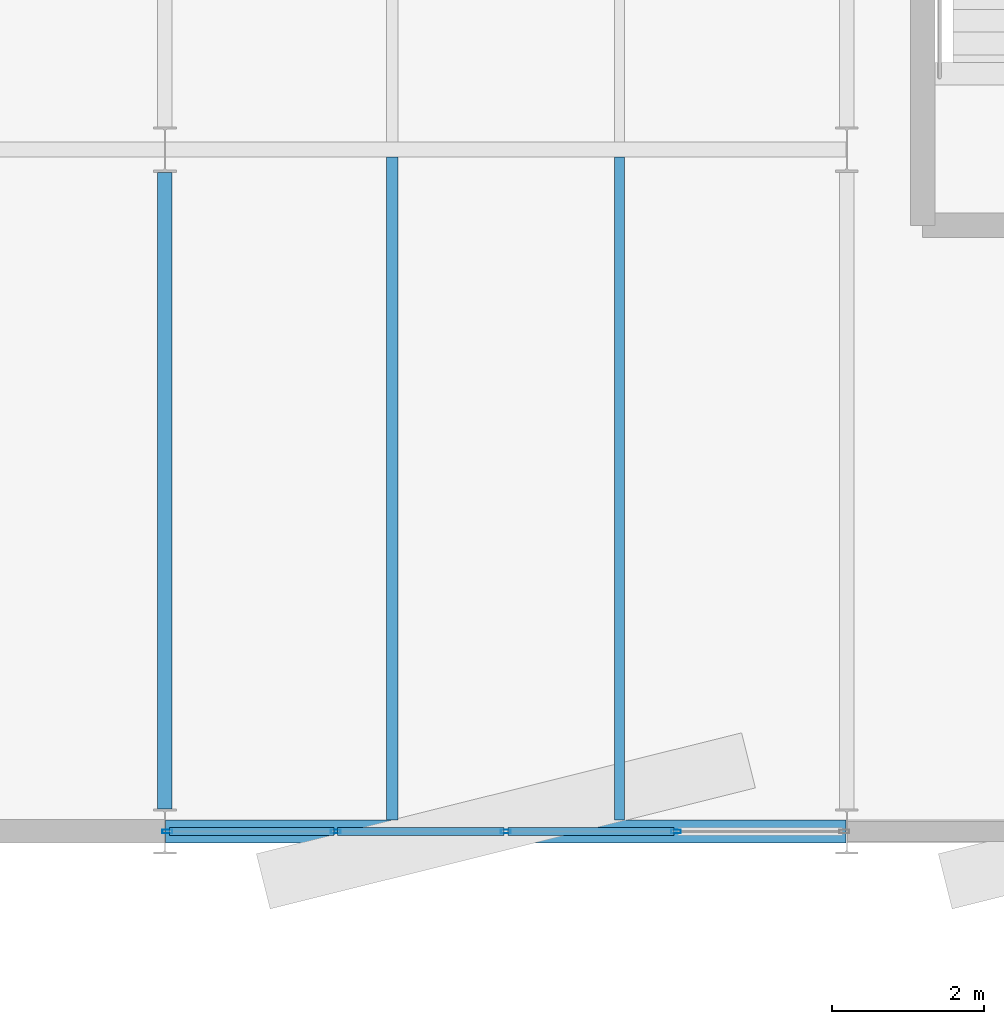
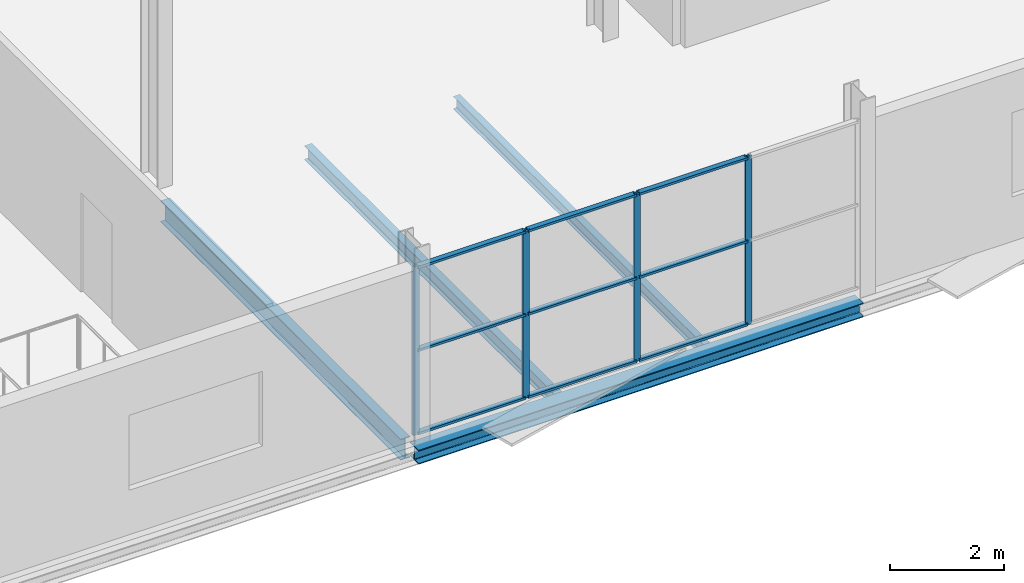
# One storey, part 79 of 135: 13 members, 4 beams, 1 element without a shape of its own.
"""IFC4 building model written with IfcOpenShell, lengths in metres."""

from ifc_helpers import new_model, si_unit, direction, frame, origin, origin_2d, place, context, subcontext, project, spatial, hollow_rectangle, i_section, extrude, material, layer, layer_set, material_profile, profile_set, type_object, element, aggregate, save


model = new_model("IFC4")

# Units and contexts
model_context = context("Model", 3, precision=1e-05, world=origin(), true_north=direction((0.0, 1.0)))
body_context = subcontext(model_context, "Body", "Model", "MODEL_VIEW")
ifc_project = project(units=[si_unit("LENGTHUNIT", "METRE"), si_unit("AREAUNIT", "SQUARE_METRE"), si_unit("VOLUMEUNIT", "CUBIC_METRE"), si_unit("PLANEANGLEUNIT", "RADIAN"), si_unit("MASSUNIT", "GRAM", prefix="KILO")], contexts=[model_context])

# Site, building, storey
site_placement = place(None, origin())
site = spatial("IfcSite", under=ifc_project, at=site_placement, CompositionType="ELEMENT")
building_placement = place(site_placement, origin())
building = spatial("IfcBuilding", under=site, at=building_placement, Name="Deido Ridge Mobility Hub", CompositionType="ELEMENT")
storey_placement = place(building_placement, frame((0.0, 0.0, 4.199951171875)))
storey = spatial("IfcBuildingStorey", under=building, at=storey_placement, Name="L01", CompositionType="ELEMENT", Elevation=4.199951171875)

# Beams
ifc_material_1 = material(Name="Steel S355J2 EN 10025-2", Category="steel")
ifc_material_profile_1 = material_profile(ifc_material_1, i_section(OverallWidth=0.18994140625, OverallDepth=0.449951171875, WebThickness=0.009521484375, FlangeThickness=0.0146484375, FilletRadius=0.02099609375, at=origin_2d()), Name="IPE 450")
ifc_profile_set_1 = profile_set([ifc_material_profile_1], Name="Steel S355J2 EN 10025-2")
beam_type_1 = type_object("IfcBeamType", Name="BM-IPE450", PredefinedType="BEAM", material=ifc_profile_set_1)
beam_1_placement = place(storey_placement, frame((153.0, 0.300048828125, -0.474853515625), z_axis=(0.0, 1.0, 0.0), x_axis=(-1.0, 0.0, 0.0)))
element("IfcBeam", 1, at=beam_1_placement, inside=storey, type_object=beam_type_1, Name="Floor beam B4", PredefinedType="BEAM", context=body_context, shape_type="SweptSolid", body=[
    extrude(i_section(OverallWidth=0.18994140625, OverallDepth=0.449951171875, WebThickness=0.009521484375, FlangeThickness=0.0146484375, FilletRadius=0.02099609375, at=origin_2d()), origin(), (0.0, 0.0, 1.0), 8.39990234375),
])
ifc_material_profile_2 = material_profile(ifc_material_1, i_section(OverallWidth=0.135009765625, OverallDepth=0.27001953125, WebThickness=0.006591796875, FlangeThickness=0.01025390625, FilletRadius=0.014892578125, at=origin_2d()), Name="IPE 270")
ifc_profile_set_2 = profile_set([ifc_material_profile_2], Name="Steel S355J2 EN 10025-2")
beam_type_2 = type_object("IfcBeamType", Name="JST-IPE270", PredefinedType="JOIST", material=ifc_profile_set_2)
beam_2_placement = place(storey_placement, frame((159.0, 0.14990234375, -0.385009765625), z_axis=(0.0, 1.0, 0.0), x_axis=(-1.0, 0.0, 0.0)))
element("IfcBeam", 2, at=beam_2_placement, inside=storey, type_object=beam_type_2, Name="Composite joist J4", PredefinedType="JOIST", context=body_context, shape_type="SweptSolid", body=[
    extrude(i_section(OverallWidth=0.135009765625, OverallDepth=0.27001953125, WebThickness=0.006591796875, FlangeThickness=0.01025390625, FilletRadius=0.014892578125, at=origin_2d()), origin(), (0.0, 0.0, 1.0), 8.75),
])
ifc_material_profile_3 = material_profile(ifc_material_1, i_section(OverallWidth=0.14990234375, OverallDepth=0.300048828125, WebThickness=0.007080078125, FlangeThickness=0.0107421875, FilletRadius=0.014892578125, at=origin_2d()), Name="IPE 300")
ifc_profile_set_3 = profile_set([ifc_material_profile_3], Name="Steel S355J2 EN 10025-2")
beam_type_3 = type_object("IfcBeamType", Name="JST-IPE300", PredefinedType="JOIST", material=ifc_profile_set_3)
beam_3_placement = place(storey_placement, frame((156.0, 0.14990234375, -0.39990234375), z_axis=(0.0, 1.0, 0.0), x_axis=(-1.0, 0.0, 0.0)))
element("IfcBeam", 3, at=beam_3_placement, inside=storey, type_object=beam_type_3, Name="Composite joist J3", PredefinedType="JOIST", context=body_context, shape_type="SweptSolid", body=[
    extrude(i_section(OverallWidth=0.14990234375, OverallDepth=0.300048828125, WebThickness=0.007080078125, FlangeThickness=0.0107421875, FilletRadius=0.014892578125, at=origin_2d()), origin(), (0.0, 0.0, 1.0), 8.75),
])

# Curtain wall, members
ifc_material_2 = material(Name="Anodised aluminium EN AW-6063 T6", Category="aluminium")
ifc_layer = layer(ifc_material_2, 0.1650390625, Name="Anodised aluminium EN AW-6063 T6")
ifc_layer_set = layer_set([ifc_layer], Name="Anodised aluminium EN AW-6063 T6")
curtain_wall_type = type_object("IfcCurtainWallType", Name="CW-UF-1", PredefinedType="USERDEFINED", material=ifc_layer_set)
curtain_wall_placement = place(storey_placement, origin())
curtain_wall = element("IfcCurtainWall", 4, at=curtain_wall_placement, inside=storey, type_object=curtain_wall_type, Name="Unitised curtain wall CW1", ObjectType="UNITISED FACADE", PredefinedType="USERDEFINED")
ifc_material_profile_4 = material_profile(ifc_material_2, hollow_rectangle(XDim=0.050048828125, YDim=0.1298828125, WallThickness=0.00390625, at=origin_2d()), Name="RHS 50x130x4")
ifc_profile_set_4 = profile_set([ifc_material_profile_4], Name="Anodised aluminium EN AW-6063 T6")
member_type_1 = type_object("IfcMemberType", Name="MEM-MUL-50X130", PredefinedType="MULLION", material=ifc_profile_set_4)
member_1_placement = place(storey_placement, frame((153.03271484375, 0.0, 0.0), z_axis=(0.0, 0.0, 1.0), x_axis=(0.0, 1.0, 0.0)))
member_1 = element("IfcMember", 5, at=member_1_placement, type_object=member_type_1, Name="CW1 mullion 1", PredefinedType="MULLION", context=body_context, shape_type="SweptSolid", body=[
    extrude(hollow_rectangle(XDim=0.050048828125, YDim=0.1298828125, WallThickness=0.00390625, at=origin_2d()), origin(), (0.0, 0.0, 1.0), 3.60009765625),
])
member_2_placement = place(storey_placement, frame((155.25390625, 0.0, 0.0), z_axis=(0.0, 0.0, 1.0), x_axis=(0.0, 1.0, 0.0)))
member_2 = element("IfcMember", 6, at=member_2_placement, type_object=member_type_1, Name="CW1 mullion 2", PredefinedType="MULLION", context=body_context, shape_type="SweptSolid", body=[
    extrude(hollow_rectangle(XDim=0.050048828125, YDim=0.1298828125, WallThickness=0.00390625, at=origin_2d()), origin(), (0.0, 0.0, 1.0), 3.60009765625),
])
member_3_placement = place(storey_placement, frame((157.5, 0.0, 0.0), z_axis=(0.0, 0.0, 1.0), x_axis=(0.0, 1.0, 0.0)))
member_3 = element("IfcMember", 7, at=member_3_placement, type_object=member_type_1, Name="CW1 mullion 3", PredefinedType="MULLION", context=body_context, shape_type="SweptSolid", body=[
    extrude(hollow_rectangle(XDim=0.050048828125, YDim=0.1298828125, WallThickness=0.00390625, at=origin_2d()), origin(), (0.0, 0.0, 1.0), 3.60009765625),
])
member_4_placement = place(storey_placement, frame((159.74609375, 0.0, 0.0), z_axis=(0.0, 0.0, 1.0), x_axis=(0.0, 1.0, 0.0)))
member_4 = element("IfcMember", 8, at=member_4_placement, type_object=member_type_1, Name="CW1 mullion 4", PredefinedType="MULLION", context=body_context, shape_type="SweptSolid", body=[
    extrude(hollow_rectangle(XDim=0.050048828125, YDim=0.1298828125, WallThickness=0.00390625, at=origin_2d()), origin(), (0.0, 0.0, 1.0), 3.60009765625),
])
ifc_material_profile_5 = material_profile(ifc_material_2, hollow_rectangle(XDim=0.10498046875, YDim=0.050048828125, WallThickness=0.00390625, at=origin_2d()), Name="RHS 105x50x4")
ifc_profile_set_5 = profile_set([ifc_material_profile_5], Name="Anodised aluminium EN AW-6063 T6")
member_type_2 = type_object("IfcMemberType", Name="MEM-TRN-105X50", PredefinedType="USERDEFINED", material=ifc_profile_set_5)
member_5_placement = place(storey_placement, frame((153.0576171875, 0.0, 0.025146484375), z_axis=(1.0, 0.0, 0.0), x_axis=(0.0, 1.0, 0.0)))
member_5 = element("IfcMember", 9, at=member_5_placement, type_object=member_type_2, Name="CW1 transom 1.1", ObjectType="TRANSOM", PredefinedType="USERDEFINED", context=body_context, shape_type="SweptSolid", body=[
    extrude(hollow_rectangle(XDim=0.10498046875, YDim=0.050048828125, WallThickness=0.00390625, at=origin_2d()), origin(), (0.0, 0.0, 1.0), 2.171142578125),
])
member_6_placement = place(storey_placement, frame((153.0576171875, 0.0, 1.800048828125), z_axis=(1.0, 0.0, 0.0), x_axis=(0.0, 1.0, 0.0)))
member_6 = element("IfcMember", 10, at=member_6_placement, type_object=member_type_2, Name="CW1 transom 1.2", ObjectType="TRANSOM", PredefinedType="USERDEFINED", context=body_context, shape_type="SweptSolid", body=[
    extrude(hollow_rectangle(XDim=0.10498046875, YDim=0.050048828125, WallThickness=0.00390625, at=origin_2d()), origin(), (0.0, 0.0, 1.0), 2.171142578125),
])
member_7_placement = place(storey_placement, frame((153.0576171875, 0.0, 3.574951171875), z_axis=(1.0, 0.0, 0.0), x_axis=(0.0, 1.0, 0.0)))
member_7 = element("IfcMember", 11, at=member_7_placement, type_object=member_type_2, Name="CW1 transom 1.3", ObjectType="TRANSOM", PredefinedType="USERDEFINED", context=body_context, shape_type="SweptSolid", body=[
    extrude(hollow_rectangle(XDim=0.10498046875, YDim=0.050048828125, WallThickness=0.00390625, at=origin_2d()), origin(), (0.0, 0.0, 1.0), 2.171142578125),
])
member_8_placement = place(storey_placement, frame((155.27880859375, 0.0, 0.025146484375), z_axis=(1.0, 0.0, 0.0), x_axis=(0.0, 1.0, 0.0)))
member_8 = element("IfcMember", 12, at=member_8_placement, type_object=member_type_2, Name="CW1 transom 2.1", ObjectType="TRANSOM", PredefinedType="USERDEFINED", context=body_context, shape_type="SweptSolid", body=[
    extrude(hollow_rectangle(XDim=0.10498046875, YDim=0.050048828125, WallThickness=0.00390625, at=origin_2d()), origin(), (0.0, 0.0, 1.0), 2.1962890625),
])
member_9_placement = place(storey_placement, frame((155.27880859375, 0.0, 1.800048828125), z_axis=(1.0, 0.0, 0.0), x_axis=(0.0, 1.0, 0.0)))
member_9 = element("IfcMember", 13, at=member_9_placement, type_object=member_type_2, Name="CW1 transom 2.2", ObjectType="TRANSOM", PredefinedType="USERDEFINED", context=body_context, shape_type="SweptSolid", body=[
    extrude(hollow_rectangle(XDim=0.10498046875, YDim=0.050048828125, WallThickness=0.00390625, at=origin_2d()), origin(), (0.0, 0.0, 1.0), 2.1962890625),
])
member_10_placement = place(storey_placement, frame((155.27880859375, 0.0, 3.574951171875), z_axis=(1.0, 0.0, 0.0), x_axis=(0.0, 1.0, 0.0)))
member_10 = element("IfcMember", 14, at=member_10_placement, type_object=member_type_2, Name="CW1 transom 2.3", ObjectType="TRANSOM", PredefinedType="USERDEFINED", context=body_context, shape_type="SweptSolid", body=[
    extrude(hollow_rectangle(XDim=0.10498046875, YDim=0.050048828125, WallThickness=0.00390625, at=origin_2d()), origin(), (0.0, 0.0, 1.0), 2.1962890625),
])
member_11_placement = place(storey_placement, frame((157.52490234375, 0.0, 0.025146484375), z_axis=(1.0, 0.0, 0.0), x_axis=(0.0, 1.0, 0.0)))
member_11 = element("IfcMember", 15, at=member_11_placement, type_object=member_type_2, Name="CW1 transom 3.1", ObjectType="TRANSOM", PredefinedType="USERDEFINED", context=body_context, shape_type="SweptSolid", body=[
    extrude(hollow_rectangle(XDim=0.10498046875, YDim=0.050048828125, WallThickness=0.00390625, at=origin_2d()), origin(), (0.0, 0.0, 1.0), 2.1962890625),
])
member_12_placement = place(storey_placement, frame((157.52490234375, 0.0, 1.800048828125), z_axis=(1.0, 0.0, 0.0), x_axis=(0.0, 1.0, 0.0)))
member_12 = element("IfcMember", 16, at=member_12_placement, type_object=member_type_2, Name="CW1 transom 3.2", ObjectType="TRANSOM", PredefinedType="USERDEFINED", context=body_context, shape_type="SweptSolid", body=[
    extrude(hollow_rectangle(XDim=0.10498046875, YDim=0.050048828125, WallThickness=0.00390625, at=origin_2d()), origin(), (0.0, 0.0, 1.0), 2.1962890625),
])
member_13_placement = place(storey_placement, frame((157.52490234375, 0.0, 3.574951171875), z_axis=(1.0, 0.0, 0.0), x_axis=(0.0, 1.0, 0.0)))
member_13 = element("IfcMember", 17, at=member_13_placement, type_object=member_type_2, Name="CW1 transom 3.3", ObjectType="TRANSOM", PredefinedType="USERDEFINED", context=body_context, shape_type="SweptSolid", body=[
    extrude(hollow_rectangle(XDim=0.10498046875, YDim=0.050048828125, WallThickness=0.00390625, at=origin_2d()), origin(), (0.0, 0.0, 1.0), 2.1962890625),
])
aggregate(curtain_wall, [member_1, member_2, member_3, member_4, member_5, member_6, member_7, member_8, member_9, member_10, member_11, member_12, member_13])

# Beam
ifc_material_profile_6 = material_profile(ifc_material_1, i_section(OverallWidth=0.300048828125, OverallDepth=0.300048828125, WebThickness=0.010986328125, FlangeThickness=0.01904296875, FilletRadius=0.027099609375, at=origin_2d()), Name="HEB 300")
ifc_profile_set_6 = profile_set([ifc_material_profile_6], Name="Steel S355J2 EN 10025-2")
beam_type_4 = type_object("IfcBeamType", Name="SPD-HEB300", PredefinedType="SPANDREL", material=ifc_profile_set_6)
beam_4_placement = place(storey_placement, frame((153.0078125, 0.0, -0.39990234375), z_axis=(1.0, 0.0, 0.0), x_axis=(0.0, 1.0, 0.0)))
element("IfcBeam", 18, at=beam_4_placement, inside=storey, type_object=beam_type_4, Name="Floor beam SP1", PredefinedType="SPANDREL", context=body_context, shape_type="SweptSolid", body=[
    extrude(i_section(OverallWidth=0.300048828125, OverallDepth=0.300048828125, WebThickness=0.010986328125, FlangeThickness=0.01904296875, FilletRadius=0.027099609375, at=origin_2d()), origin(), (0.0, 0.0, 1.0), 8.984375),
])

save(model, "model.ifc")
